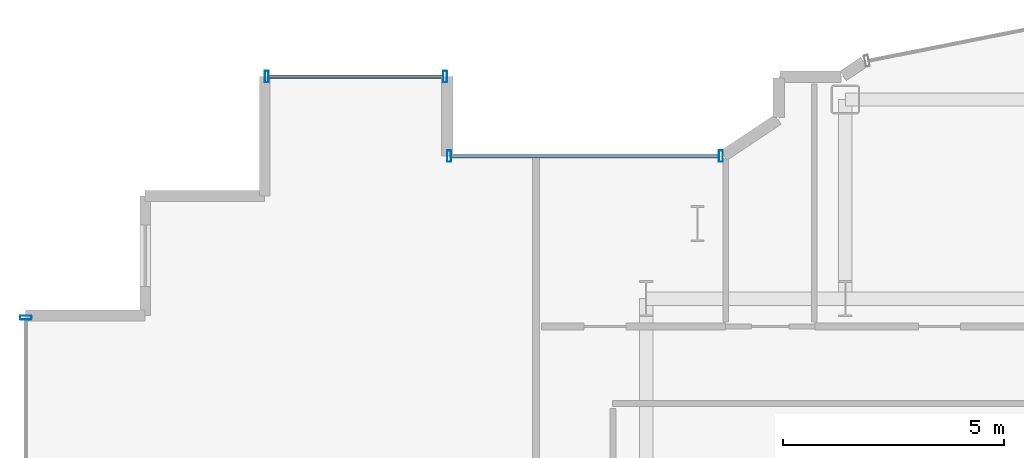
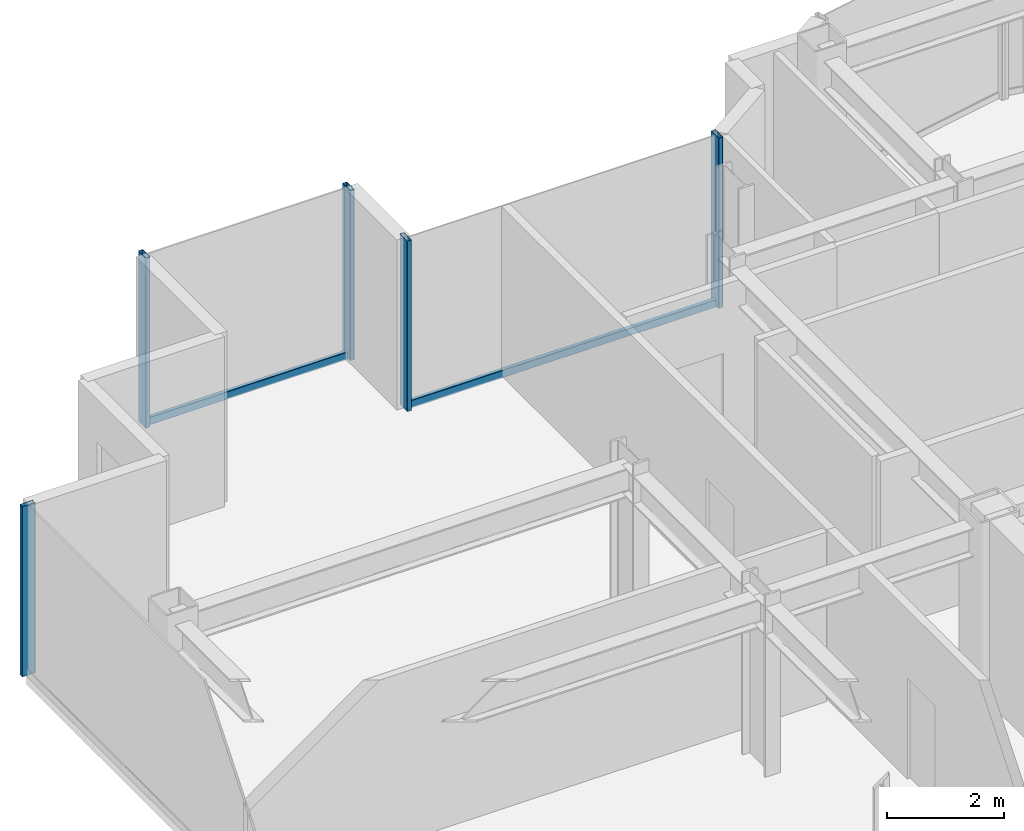
# One storey, part 8 of 20: 7 members, 3 elements without a shape of their own.
"""IFC4 building model written with IfcOpenShell, lengths in metres."""

from ifc_helpers import new_model, si_unit, direction, frame, origin, origin_2d, place, context, subcontext, project, spatial, hollow_rectangle, extrude, source, transform, mapped, material, layer, layer_set, material_profile, profile_set, type_object, element, aggregate, save


model = new_model("IFC4")

# Units and contexts
model_context = context("Model", 3, precision=1e-05, world=origin(), true_north=direction((0.0, 1.0)))
body_context = subcontext(model_context, "Body", "Model", "MODEL_VIEW")
ifc_project = project(units=[si_unit("LENGTHUNIT", "METRE"), si_unit("AREAUNIT", "SQUARE_METRE"), si_unit("VOLUMEUNIT", "CUBIC_METRE"), si_unit("PLANEANGLEUNIT", "RADIAN"), si_unit("MASSUNIT", "GRAM", prefix="KILO")], contexts=[model_context])

# Site, building, storey
site_placement = place(None, origin())
site = spatial("IfcSite", under=ifc_project, at=site_placement, CompositionType="ELEMENT")
building_placement = place(site_placement, origin())
building = spatial("IfcBuilding", under=site, at=building_placement, Name="Nefas-Gora Pilgrimage Tower", CompositionType="ELEMENT")
storey_placement = place(building_placement, frame((0.0, 0.0, 221.800048828125)))
storey = spatial("IfcBuildingStorey", under=building, at=storey_placement, Name="L55", CompositionType="ELEMENT", Elevation=221.800048828125)

# Curtain wall, members
ifc_material_1 = material(Name="Dark ceramic-fritted solar-control aluminium-glass curtain wall", Category="aluminium")
ifc_layer_1 = layer(ifc_material_1, 0.219970703125)
ifc_layer_set_1 = layer_set([ifc_layer_1], Name="Dark ceramic-fritted solar-control aluminium-glass curtain wall")
curtain_wall_type_1 = type_object("IfcCurtainWallType", Name="CW-SYS-5", PredefinedType="NOTDEFINED", material=ifc_layer_set_1)
curtain_wall_1_placement = place(storey_placement, origin())
curtain_wall_1 = element("IfcCurtainWall", 1, at=curtain_wall_1_placement, inside=storey, type_object=curtain_wall_type_1, Name="L55 Unitised Curtain Wall CW5", PredefinedType="NOTDEFINED")
ifc_material_2 = material(Name="Anodised architectural aluminium", Category="aluminium")
ifc_material_profile_1 = material_profile(ifc_material_2, hollow_rectangle(XDim=0.090087890625, YDim=0.260009765625, WallThickness=0.006103515625, InnerFilletRadius=0.006103515625, OuterFilletRadius=0.011962890625, at=origin_2d()), Name="ALU MULLION 90x260")
ifc_profile_set_1 = profile_set([ifc_material_profile_1], Name="Anodised architectural aluminium")
member_type_1 = type_object("IfcMemberType", Name="CWM-MUL-5", PredefinedType="MULLION", material=ifc_profile_set_1)
shared_shape_1 = source(origin(), body_context, "Body", "SweptSolid", [
    extrude(hollow_rectangle(XDim=0.090087890625, YDim=0.260009765625, WallThickness=0.006103515625, InnerFilletRadius=0.006103515625, OuterFilletRadius=0.011962890625, at=origin_2d()), origin(), (0.0, 0.0, 1.0), 3.550048828125),
])
member_1_placement = place(storey_placement, frame((-9.56298828125, 21.219970703125, 0.0), z_axis=(0.0, 0.0, 1.0), x_axis=(-1.0, 0.0, 0.0)))
member_1 = element("IfcMember", 2, at=member_1_placement, type_object=member_type_1, Name="CW5 Mullion 1", PredefinedType="MULLION", context=body_context, shape_type="MappedRepresentation", body=[
    mapped(shared_shape_1, transform((0.0, 0.0, 0.0), x_axis=(1.0, 0.0, 0.0), y_axis=(0.0, 1.0, 0.0), z_axis=(0.0, 0.0, 1.0), scale=1.0)),
])
member_2_placement = place(storey_placement, frame((-15.705078125, 21.219970703125, 0.0), z_axis=(0.0, 0.0, 1.0), x_axis=(-1.0, 0.0, 0.0)))
member_2 = element("IfcMember", 3, at=member_2_placement, type_object=member_type_1, Name="CW5 Mullion 2", PredefinedType="MULLION", context=body_context, shape_type="MappedRepresentation", body=[
    mapped(shared_shape_1, transform((0.0, 0.0, 0.0), x_axis=(1.0, 0.0, 0.0), y_axis=(0.0, 1.0, 0.0), z_axis=(0.0, 0.0, 1.0), scale=1.0)),
])
ifc_material_profile_2 = material_profile(ifc_material_2, hollow_rectangle(XDim=0.080078125, YDim=0.159912109375, WallThickness=0.00439453125, InnerFilletRadius=0.00439453125, OuterFilletRadius=0.009033203125, at=origin_2d()), Name="ALU TRANSOM 80x160")
ifc_profile_set_2 = profile_set([ifc_material_profile_2], Name="Anodised architectural aluminium")
member_type_2 = type_object("IfcMemberType", Name="CWM-TRN-5", PredefinedType="USERDEFINED", material=ifc_profile_set_2)
shared_shape_2 = source(origin(), body_context, "Body", "SweptSolid", [
    extrude(hollow_rectangle(XDim=0.080078125, YDim=0.159912109375, WallThickness=0.00439453125, InnerFilletRadius=0.00439453125, OuterFilletRadius=0.009033203125, at=origin_2d()), origin(), (0.0, 0.0, 1.0), 6.052001953125),
])
member_3_placement = place(storey_placement, frame((-9.60791015625, 21.219970703125, 0.050048828125), z_axis=(-1.0, 0.0, 0.0), x_axis=(0.0, -1.0, 0.0)))
member_3 = element("IfcMember", 4, at=member_3_placement, type_object=member_type_2, Name="CW5 Spandrel Transom", ObjectType="TRANSOM", PredefinedType="USERDEFINED", context=body_context, shape_type="MappedRepresentation", body=[
    mapped(shared_shape_2, transform((0.0, 0.0, 0.0), x_axis=(1.0, 0.0, 0.0), y_axis=(0.0, 1.0, 0.0), z_axis=(0.0, 0.0, 1.0), scale=1.0)),
])
aggregate(curtain_wall_1, [member_1, member_2, member_3])

ifc_layer_2 = layer(ifc_material_1, 0.219970703125)
ifc_layer_set_2 = layer_set([ifc_layer_2], Name="Dark ceramic-fritted solar-control aluminium-glass curtain wall")
curtain_wall_type_2 = type_object("IfcCurtainWallType", Name="CW-SYS-3", PredefinedType="NOTDEFINED", material=ifc_layer_set_2)
curtain_wall_2_placement = place(storey_placement, origin())
curtain_wall_2 = element("IfcCurtainWall", 5, at=curtain_wall_2_placement, inside=storey, type_object=curtain_wall_type_2, Name="L55 Unitised Curtain Wall CW3", PredefinedType="NOTDEFINED")
ifc_material_profile_3 = material_profile(ifc_material_2, hollow_rectangle(XDim=0.090087890625, YDim=0.260009765625, WallThickness=0.006103515625, InnerFilletRadius=0.006103515625, OuterFilletRadius=0.011962890625, at=origin_2d()), Name="ALU MULLION 90x260")
ifc_profile_set_3 = profile_set([ifc_material_profile_3], Name="Anodised architectural aluminium")
member_type_3 = type_object("IfcMemberType", Name="CWM-MUL-3", PredefinedType="MULLION", material=ifc_profile_set_3)
shared_shape_3 = source(origin(), body_context, "Body", "SweptSolid", [
    extrude(hollow_rectangle(XDim=0.090087890625, YDim=0.260009765625, WallThickness=0.006103515625, InnerFilletRadius=0.006103515625, OuterFilletRadius=0.011962890625, at=origin_2d()), origin(), (0.0, 0.0, 1.0), 3.550048828125),
])
member_4_placement = place(storey_placement, frame((-15.794921875, 23.02001953125, 0.0), z_axis=(0.0, 0.0, 1.0), x_axis=(-1.0, 0.0, 0.0)))
member_4 = element("IfcMember", 6, at=member_4_placement, type_object=member_type_3, Name="CW3 Mullion 1", PredefinedType="MULLION", context=body_context, shape_type="MappedRepresentation", body=[
    mapped(shared_shape_3, transform((0.0, 0.0, 0.0), x_axis=(1.0, 0.0, 0.0), y_axis=(0.0, 1.0, 0.0), z_axis=(0.0, 0.0, 1.0), scale=1.0)),
])
member_5_placement = place(storey_placement, frame((-19.824951171875, 23.02001953125, 0.0), z_axis=(0.0, 0.0, 1.0), x_axis=(-1.0, 0.0, 0.0)))
member_5 = element("IfcMember", 7, at=member_5_placement, type_object=member_type_3, Name="CW3 Mullion 2", PredefinedType="MULLION", context=body_context, shape_type="MappedRepresentation", body=[
    mapped(shared_shape_3, transform((0.0, 0.0, 0.0), x_axis=(1.0, 0.0, 0.0), y_axis=(0.0, 1.0, 0.0), z_axis=(0.0, 0.0, 1.0), scale=1.0)),
])

# Curtain wall, member
curtain_wall_3_placement = place(storey_placement, origin())
curtain_wall_3 = element("IfcCurtainWall", 8, at=curtain_wall_3_placement, inside=storey, type_object=curtain_wall_type_2, Name="L55 Unitised Curtain Wall CW3", PredefinedType="NOTDEFINED")
member_6_placement = place(storey_placement, frame((-25.27001953125, 17.574951171875, 0.0), z_axis=(0.0, 0.0, 1.0), x_axis=(0.0, -1.0, 0.0)))
member_6 = element("IfcMember", 9, at=member_6_placement, type_object=member_type_3, Name="CW3 Mullion 1", PredefinedType="MULLION", context=body_context, shape_type="MappedRepresentation", body=[
    mapped(shared_shape_3, transform((0.0, 0.0, 0.0), x_axis=(1.0, 0.0, 0.0), y_axis=(0.0, 1.0, 0.0), z_axis=(0.0, 0.0, 1.0), scale=1.0)),
])
aggregate(curtain_wall_3, [member_6])

# Member
ifc_material_profile_4 = material_profile(ifc_material_2, hollow_rectangle(XDim=0.080078125, YDim=0.159912109375, WallThickness=0.00439453125, InnerFilletRadius=0.00439453125, OuterFilletRadius=0.009033203125, at=origin_2d()), Name="ALU TRANSOM 80x160")
ifc_profile_set_4 = profile_set([ifc_material_profile_4], Name="Anodised architectural aluminium")
member_type_4 = type_object("IfcMemberType", Name="CWM-TRN-3", PredefinedType="USERDEFINED", material=ifc_profile_set_4)
shared_shape_4 = source(origin(), body_context, "Body", "SweptSolid", [
    extrude(hollow_rectangle(XDim=0.080078125, YDim=0.159912109375, WallThickness=0.00439453125, InnerFilletRadius=0.00439453125, OuterFilletRadius=0.009033203125, at=origin_2d()), origin(), (0.0, 0.0, 1.0), 3.93994140625),
])
member_7_placement = place(storey_placement, frame((-15.840087890625, 23.02001953125, 0.050048828125), z_axis=(-1.0, 0.0, 0.0), x_axis=(0.0, -1.0, 0.0)))
member_7 = element("IfcMember", 10, at=member_7_placement, type_object=member_type_4, Name="CW3 Spandrel Transom", ObjectType="TRANSOM", PredefinedType="USERDEFINED", context=body_context, shape_type="MappedRepresentation", body=[
    mapped(shared_shape_4, transform((0.0, 0.0, 0.0), x_axis=(1.0, 0.0, 0.0), y_axis=(0.0, 1.0, 0.0), z_axis=(0.0, 0.0, 1.0), scale=1.0)),
])

aggregate(curtain_wall_2, [member_4, member_5, member_7])

save(model, "model.ifc")
